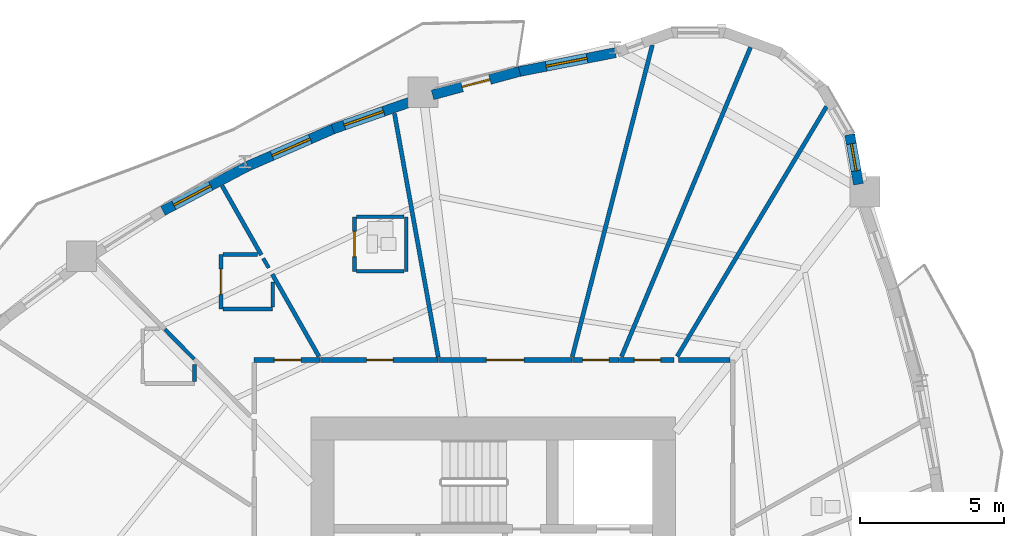
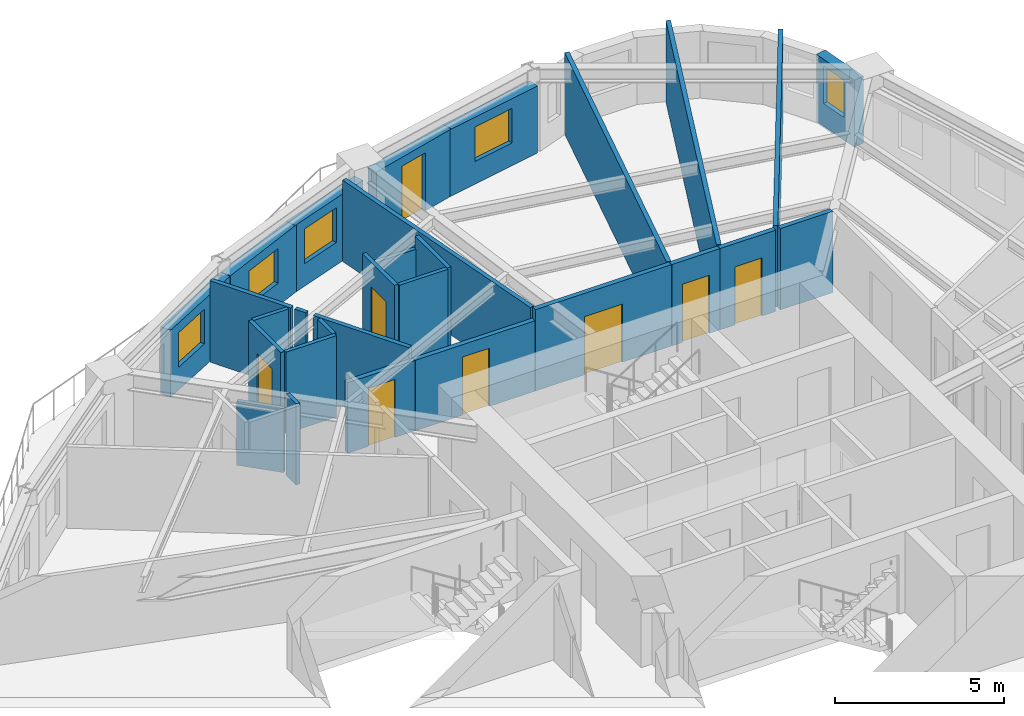
# One storey, part 8 of 13: 29 walls, 8 doors, 5 windows, 13 openings.
"""IFC4 building model written with IfcOpenShell, lengths in metres."""

import ifcopenshell
import ifcopenshell.guid

model = None  # the IFC model being written
_history = None  # IfcOwnerHistory: only IFC2X3 demands one
_inside = {}  # id of a spatial element -> (the spatial element, [elements in it])
_under = {}  # id of a project, library or spatial element -> (it, [spatial elements below it])
_declared = {}  # id of a project -> (the project, [libraries it declares])
_typed = {}  # id of a type object -> (the type object, [elements of that type])
_made_of = {}  # id of a material, layer set ... -> (it, [elements and type objects made of it])


def new_model(schema):
    """Start an empty IFC model of exactly this schema.

    Asked for "IFC4X3", IfcOpenShell would pick the latest addendum, in which some entities
    have other attributes; the version numbers below select the first issue.
    IFC2X3 requires an IfcOwnerHistory on every rooted entity: one is made here for all.
    """
    global model, _history
    if schema == "IFC4X3":
        model = ifcopenshell.file(schema_version=(4, 3, 0, 0))
    else:
        model = ifcopenshell.file(schema=schema)
    _inside.clear()
    _under.clear()
    _declared.clear()
    _typed.clear()
    _made_of.clear()
    _history = None
    if model.schema == "IFC2X3":
        org = make("IfcOrganization", Name="unknown")
        user = make(
            "IfcPersonAndOrganization",
            ThePerson=make("IfcPerson", FamilyName="unknown"),
            TheOrganization=org,
        )
        app = make(
            "IfcApplication",
            ApplicationDeveloper=org,
            Version="unknown",
            ApplicationFullName="unknown",
            ApplicationIdentifier="unknown",
        )
        _history = make(
            "IfcOwnerHistory",
            OwningUser=user,
            OwningApplication=app,
            ChangeAction="ADDED",
            CreationDate=0,
        )
    return model


def make(cls, **values):
    """One entity of the class cls with the attributes given. An attribute that is None is left unset."""
    return model.create_entity(
        cls, **{name: value for name, value in values.items() if value is not None}
    )


def rooted(cls, **values):
    """An entity with a GlobalId (a new one), such as an element, a storey or a relation."""
    return make(cls, GlobalId=ifcopenshell.guid.new(), OwnerHistory=_history, **values)


def si_unit(unit_type, name, prefix=None):
    """IfcSIUnit, for example si_unit("LENGTHUNIT", "METRE", prefix="MILLI")."""
    return make("IfcSIUnit", UnitType=unit_type, Prefix=prefix, Name=name)


def assignment(units):
    """IfcUnitAssignment: the units of a project."""
    return None if units is None else make("IfcUnitAssignment", Units=units)


def point(xyz):
    """IfcCartesianPoint."""
    return None if xyz is None else make("IfcCartesianPoint", Coordinates=xyz)


def direction(xyz):
    """IfcDirection."""
    return None if xyz is None else make("IfcDirection", DirectionRatios=xyz)


def frame(location, z_axis=None, x_axis=None):
    """IfcAxis2Placement3D, a coordinate frame: its origin and axes. An axis left out is left unset."""
    return make(
        "IfcAxis2Placement3D",
        Location=point(location),
        Axis=direction(z_axis),
        RefDirection=direction(x_axis),
    )


def frame_2d(location, x_axis=None):
    """IfcAxis2Placement2D, a coordinate frame in the plane: its origin and x axis."""
    return make(
        "IfcAxis2Placement2D", Location=point(location), RefDirection=direction(x_axis)
    )


def origin():
    """The frame at (0, 0, 0) with its axes left unset."""
    return frame((0.0, 0.0, 0.0))


def place(relative_to, where):
    """IfcLocalPlacement: puts the frame where relative to a parent placement (None: the world)."""
    return make(
        "IfcLocalPlacement", PlacementRelTo=relative_to, RelativePlacement=where
    )


def context(
    kind, dimensions, precision=None, world=None, true_north=None, identifier=None
):
    """IfcGeometricRepresentationContext, for example the 3D "Model" context."""
    return make(
        "IfcGeometricRepresentationContext",
        ContextIdentifier=identifier,
        ContextType=kind,
        CoordinateSpaceDimension=dimensions,
        Precision=precision,
        WorldCoordinateSystem=world,
        TrueNorth=true_north,
    )


def subcontext(parent, identifier, kind, view, scale=None):
    """IfcGeometricRepresentationSubContext, for example "Body" below "Model"."""
    return make(
        "IfcGeometricRepresentationSubContext",
        ContextIdentifier=identifier,
        ContextType=kind,
        ParentContext=parent,
        TargetScale=scale,
        TargetView=view,
    )


def project(units=None, contexts=None):
    """IfcProject with its units and contexts."""
    return rooted(
        "IfcProject",
        Name="project",
        RepresentationContexts=contexts,
        UnitsInContext=assignment(units),
    )


def spatial(cls, under=None, at=None, **own):
    """A site, building, storey or space (cls), placed at a placement, below another one or the project."""
    s = rooted(cls, ObjectPlacement=at, **own)
    if under is not None:
        _under.setdefault(under.id(), (under, []))[1].append(s)
    return s


def profile(cls, at=None, kind="AREA", **sizes):
    """A parametric profile (cls). Its sizes go by their IFC names, for example OverallWidth=200.0."""
    return make(cls, ProfileType=kind, Position=at, **sizes)


def rectangle(**sizes):
    """IfcRectangleProfileDef."""
    return profile("IfcRectangleProfileDef", **sizes)


def extrude(swept, where, along, depth):
    """IfcExtrudedAreaSolid: the profile swept, set in the frame where, extruded along a direction by depth."""
    return make(
        "IfcExtrudedAreaSolid",
        SweptArea=swept,
        Position=where,
        ExtrudedDirection=direction(along),
        Depth=depth,
    )


def shape(context_of_items, identifier, shape_type, items):
    """IfcShapeRepresentation: the items that make up one representation, for example the "Body"."""
    return make(
        "IfcShapeRepresentation",
        ContextOfItems=context_of_items,
        RepresentationIdentifier=identifier,
        RepresentationType=shape_type,
        Items=items,
    )


def source(mapping_origin, context_of_items, identifier, shape_type, items):
    """IfcRepresentationMap: a shape defined once, which mapped items show again and again."""
    return make(
        "IfcRepresentationMap",
        MappingOrigin=mapping_origin,
        MappedRepresentation=shape(context_of_items, identifier, shape_type, items),
    )


def transform(
    local_origin,
    x_axis=None,
    y_axis=None,
    z_axis=None,
    scale=None,
    scale2=None,
    scale3=None,
    uniform=True,
):
    """IfcCartesianTransformationOperator3D, or its non-uniform kind. x_axis, y_axis, z_axis: its Axis1, 2, 3."""
    if uniform:
        return make(
            "IfcCartesianTransformationOperator3D",
            Axis1=direction(x_axis),
            Axis2=direction(y_axis),
            LocalOrigin=point(local_origin),
            Scale=scale,
            Axis3=direction(z_axis),
        )
    return make(
        "IfcCartesianTransformationOperator3DnonUniform",
        Axis1=direction(x_axis),
        Axis2=direction(y_axis),
        LocalOrigin=point(local_origin),
        Scale=scale,
        Axis3=direction(z_axis),
        Scale2=scale2,
        Scale3=scale3,
    )


def mapped(mapping_source, mapping_target):
    """IfcMappedItem: shows the shape of a source again, moved by a transform."""
    return make(
        "IfcMappedItem", MappingSource=mapping_source, MappingTarget=mapping_target
    )


def material(Name=None, Category=None):
    """IfcMaterial."""
    return make("IfcMaterial", Name=Name, Category=Category)


def layer(
    of_material, thickness, ventilated=None, Name=None, Category=None, Priority=None
):
    """IfcMaterialLayer: one layer of a wall or slab, of a material (None: an air gap)."""
    return make(
        "IfcMaterialLayer",
        Material=of_material,
        LayerThickness=thickness,
        IsVentilated=ventilated,
        Name=Name,
        Category=Category,
        Priority=Priority,
    )


def layer_set(layers, Name=None):
    """IfcMaterialLayerSet."""
    return make("IfcMaterialLayerSet", MaterialLayers=layers, LayerSetName=Name)


def made_of(thing, what):
    """Note that an element or type object is made of a material, layer set ...; save() writes the relation."""
    if what is not None:
        _made_of.setdefault(what.id(), (what, []))[1].append(thing)
    return thing


def type_object(cls, material=None, **own):
    """A type object (cls), such as IfcWallType, which elements share."""
    return made_of(rooted(cls, **own), material)


def element(
    cls,
    number,
    at=None,
    inside=None,
    cuts=None,
    type_object=None,
    material=None,
    context=None,
    identifier="Body",
    shape_type=None,
    held_by="IfcProductDefinitionShape",
    body=None,
    shapes=None,
    **own,
):
    """One element of the class cls, such as IfcWall. Its Tag is "e" and its number.

    at: its placement. inside: the storey or other place that contains it. cuts: it is an
    opening in that element (IfcRelVoidsElement). A single representation is given by context,
    identifier, shape_type and body (its items); several are given by shapes. held_by: the class
    of the entity that holds the representations. save() writes the other relations.
    """
    e = rooted(cls, Tag="e%d" % number, ObjectPlacement=at, **own)
    if body is not None:
        shapes = [shape(context, identifier, shape_type, body)]
    if shapes is not None:
        e.Representation = make(held_by, Representations=shapes)
    if inside is not None:
        _inside.setdefault(inside.id(), (inside, []))[1].append(e)
    if cuts is not None:
        rooted(
            "IfcRelVoidsElement", RelatingBuildingElement=cuts, RelatedOpeningElement=e
        )
    if type_object is not None:
        _typed.setdefault(type_object.id(), (type_object, []))[1].append(e)
    return made_of(e, material)


def fill(opening, filler):
    """IfcRelFillsElement: the door or window that sits in an opening."""
    return rooted(
        "IfcRelFillsElement",
        RelatingOpeningElement=opening,
        RelatedBuildingElement=filler,
    )


def aggregate(whole, parts):
    """IfcRelAggregates: a whole, such as a stair, and the parts it consists of."""
    return rooted("IfcRelAggregates", RelatingObject=whole, RelatedObjects=parts)


def save(model, path):
    """Write the relations noted so far, then the file.

    IfcRelAggregates (storeys below a building ...), IfcRelContainedInSpatialStructure (elements
    in a storey), IfcRelDefinesByType, IfcRelAssociatesMaterial and IfcRelDeclares: one each for
    every whole, place, type object, material and project.
    """
    for whole, parts in _under.values():
        aggregate(whole, parts)
    for where, things in _inside.values():
        rooted(
            "IfcRelContainedInSpatialStructure",
            RelatedElements=things,
            RelatingStructure=where,
        )
    for kind, things in _typed.values():
        rooted("IfcRelDefinesByType", RelatedObjects=things, RelatingType=kind)
    for what, things in _made_of.values():
        rooted("IfcRelAssociatesMaterial", RelatedObjects=things, RelatingMaterial=what)
    for by, libraries in _declared.values():
        rooted("IfcRelDeclares", RelatingContext=by, RelatedDefinitions=libraries)
    model.write(path)


model = new_model("IFC4")

# Units and contexts
model_context = context("Model", 3, precision=1e-05, world=origin(), true_north=direction((0.0, 1.0)))
body_context = subcontext(model_context, "Body", "Model", "MODEL_VIEW")
ifc_project = project(units=[si_unit("LENGTHUNIT", "METRE"), si_unit("AREAUNIT", "SQUARE_METRE"), si_unit("VOLUMEUNIT", "CUBIC_METRE"), si_unit("PLANEANGLEUNIT", "RADIAN"), si_unit("MASSUNIT", "GRAM", prefix="KILO")], contexts=[model_context])

# Site, building, storey
site_placement = place(None, origin())
site = spatial("IfcSite", under=ifc_project, at=site_placement, CompositionType="ELEMENT")
building_placement = place(site_placement, origin())
building = spatial("IfcBuilding", under=site, at=building_placement, Name="Qafzar Sky-Pleat Residences", CompositionType="ELEMENT")
storey_placement = place(building_placement, frame((0.0, 0.0, 46.199951171875)))
storey = spatial("IfcBuildingStorey", under=building, at=storey_placement, Name="L13", CompositionType="ELEMENT", Elevation=46.199951171875)

# Wall, opening, door
ifc_material_1 = material(Name="Acoustic gypsum plasterboard partition", Category="gypsum")
ifc_layer_1 = layer(ifc_material_1, 0.159912109375)
ifc_layer_set_1 = layer_set([ifc_layer_1], Name="Acoustic gypsum plasterboard partition")
wall_type_1 = type_object("IfcWallType", Name="PART-COR-160", PredefinedType="PARTITIONING", material=ifc_layer_set_1)
wall_1_placement = place(storey_placement, frame((28.43310546875, 36.580078125, 0.0), z_axis=(0.0, 0.0, 1.0), x_axis=(1.0, 0.0, 0.0)))
wall_1 = element("IfcWall", 1, at=wall_1_placement, inside=storey, type_object=wall_type_1, Name="L13 Partition Wall PART-L13-PW-004", PredefinedType="PARTITIONING", context=body_context, shape_type="SweptSolid", body=[
    extrude(rectangle(XDim=4.65087890625, YDim=0.159912109375, at=frame_2d((2.325439453125, 0.0))), origin(), (0.0, 0.0, 1.0), 2.93994140625),
])
opening_1_placement = place(wall_1_placement, frame((1.675537109375, 0.0, 0.0)))
opening_1 = element("IfcOpeningElement", 2, at=opening_1_placement, cuts=wall_1, Name="Opening ID-05", PredefinedType="OPENING", context=body_context, shape_type="SweptSolid", body=[
    extrude(rectangle(XDim=1.300048828125, YDim=2.10009765625, at=frame_2d((0.64990234375, 1.050048828125))), frame((0.0, 0.08984375, 0.0), z_axis=(0.0, -1.0, 0.0), x_axis=(1.0, 0.0, 0.0)), (0.0, 0.0, 1.0), 0.179931640625),
])
ifc_material_2 = material(Name="Timber-faced fire door", Category="wood")
door_type_1 = type_object("IfcDoorType", Name="DR-LNG-1300", OperationType="DOUBLE_DOOR_SINGLE_SWING", PredefinedType="DOOR", material=ifc_material_2)
shared_shape_1 = source(origin(), body_context, "Body", "SweptSolid", [
    extrude(rectangle(XDim=1.300048828125, YDim=2.10009765625, at=frame_2d((0.64990234375, 1.050048828125))), frame((0.0, 0.02490234375, 0.0), z_axis=(0.0, -1.0, 0.0), x_axis=(1.0, 0.0, 0.0)), (0.0, 0.0, 1.0), 0.050048828125),
])
door_1_placement = place(opening_1_placement, origin())
door_1 = element("IfcDoor", 3, at=door_1_placement, inside=storey, type_object=door_type_1, Name="L13 Tutorial Huddle Room Door", OperationType="DOUBLE_DOOR_SINGLE_SWING", OverallHeight=2.10009765625, OverallWidth=1.300048828125, PredefinedType="DOOR", context=body_context, shape_type="MappedRepresentation", body=[
    mapped(shared_shape_1, transform((0.0, 0.0, 0.0), x_axis=(1.0, 0.0, 0.0), y_axis=(0.0, 1.0, 0.0), z_axis=(0.0, 0.0, 1.0), scale=1.0)),
])
fill(opening_1, door_1)

wall_2_placement = place(storey_placement, frame((24.3291015625, 36.580078125, 0.0), z_axis=(0.0, 0.0, 1.0), x_axis=(1.0, 0.0, 0.0)))
wall_2 = element("IfcWall", 4, at=wall_2_placement, inside=storey, type_object=wall_type_1, Name="L13 Partition Wall PART-L13-PW-005", PredefinedType="PARTITIONING", context=body_context, shape_type="SweptSolid", body=[
    extrude(rectangle(XDim=4.0888671875, YDim=0.159912109375, at=frame_2d((2.04443359375, 0.0))), origin(), (0.0, 0.0, 1.0), 2.548095703125),
])
opening_2_placement = place(wall_2_placement, frame((1.6083984375, 0.0, 0.0)))
opening_2 = element("IfcOpeningElement", 5, at=opening_2_placement, cuts=wall_2, Name="Opening ID-04", PredefinedType="OPENING", context=body_context, shape_type="SweptSolid", body=[
    extrude(rectangle(XDim=0.919921875, YDim=2.10009765625, at=frame_2d((0.4599609375, 1.050048828125))), frame((0.0, 0.08984375, 0.0), z_axis=(0.0, -1.0, 0.0), x_axis=(1.0, 0.0, 0.0)), (0.0, 0.0, 1.0), 0.179931640625),
])
door_type_2 = type_object("IfcDoorType", Name="DR-BED-920", OperationType="NOTDEFINED", PredefinedType="DOOR", material=ifc_material_2)
shared_shape_2 = source(origin(), body_context, "Body", "SweptSolid", [
    extrude(rectangle(XDim=0.919921875, YDim=2.10009765625, at=frame_2d((0.4599609375, 1.050048828125))), frame((0.0, 0.02490234375, 0.0), z_axis=(0.0, -1.0, 0.0), x_axis=(1.0, 0.0, 0.0)), (0.0, 0.0, 1.0), 0.050048828125),
])
door_2_placement = place(opening_2_placement, origin())
door_2 = element("IfcDoor", 6, at=door_2_placement, inside=storey, type_object=door_type_2, Name="L13 Co-Living Bedroom 7 Door", OperationType="SINGLE_SWING_LEFT", OverallHeight=2.10009765625, OverallWidth=0.919921875, PredefinedType="DOOR", context=body_context, shape_type="MappedRepresentation", body=[
    mapped(shared_shape_2, transform((0.0, 0.0, 0.0), x_axis=(1.0, 0.0, 0.0), y_axis=(0.0, 1.0, 0.0), z_axis=(0.0, 0.0, 1.0), scale=1.0)),
])
fill(opening_2, door_2)

wall_3_placement = place(storey_placement, frame((22.02001953125, 36.580078125, 0.0), z_axis=(0.0, 0.0, 1.0), x_axis=(1.0, 0.0, 0.0)))
wall_3 = element("IfcWall", 7, at=wall_3_placement, inside=storey, type_object=wall_type_1, Name="L13 Partition Wall PART-L13-PW-013", PredefinedType="PARTITIONING", context=body_context, shape_type="SweptSolid", body=[
    extrude(rectangle(XDim=2.2939453125, YDim=0.159912109375, at=frame_2d((1.14697265625, 0.0))), origin(), (0.0, 0.0, 1.0), 2.548095703125),
])
opening_3_placement = place(wall_3_placement, frame((0.702880859375, 0.0, 0.0)))
opening_3 = element("IfcOpeningElement", 8, at=opening_3_placement, cuts=wall_3, Name="Opening ID-04", PredefinedType="OPENING", context=body_context, shape_type="SweptSolid", body=[
    extrude(rectangle(XDim=0.919921875, YDim=2.10009765625, at=frame_2d((0.4599609375, 1.050048828125))), frame((0.0, 0.08984375, 0.0), z_axis=(0.0, -1.0, 0.0), x_axis=(1.0, 0.0, 0.0)), (0.0, 0.0, 1.0), 0.179931640625),
])
door_3_placement = place(opening_3_placement, origin())
door_3 = element("IfcDoor", 9, at=door_3_placement, inside=storey, type_object=door_type_2, Name="L13 Co-Living Bedroom 9 Door", OperationType="SINGLE_SWING_LEFT", OverallHeight=2.10009765625, OverallWidth=0.919921875, PredefinedType="DOOR", context=body_context, shape_type="MappedRepresentation", body=[
    mapped(shared_shape_2, transform((0.0, 0.0, 0.0), x_axis=(1.0, 0.0, 0.0), y_axis=(0.0, 1.0, 0.0), z_axis=(0.0, 0.0, 1.0), scale=1.0)),
])
fill(opening_3, door_3)

wall_4_placement = place(storey_placement, frame((34.74609375, 36.580078125, 0.0), z_axis=(0.0, 0.0, 1.0), x_axis=(1.0, 0.0, 0.0)))
wall_4 = element("IfcWall", 10, at=wall_4_placement, inside=storey, type_object=wall_type_1, Name="L13 Partition Wall PART-L13-PW-022", PredefinedType="PARTITIONING", context=body_context, shape_type="SweptSolid", body=[
    extrude(rectangle(XDim=1.89794921875, YDim=0.159912109375, at=frame_2d((0.948974609375, 0.0))), origin(), (0.0, 0.0, 1.0), 2.93994140625),
])
opening_4_placement = place(wall_4_placement, frame((0.513427734375, 0.0, 0.0)))
opening_4 = element("IfcOpeningElement", 11, at=opening_4_placement, cuts=wall_4, Name="Opening ID-04", PredefinedType="OPENING", context=body_context, shape_type="SweptSolid", body=[
    extrude(rectangle(XDim=0.919921875, YDim=2.10009765625, at=frame_2d((0.4599609375, 1.050048828125))), frame((0.0, 0.08984375, 0.0), z_axis=(0.0, -1.0, 0.0), x_axis=(1.0, 0.0, 0.0)), (0.0, 0.0, 1.0), 0.179931640625),
])
door_4_placement = place(opening_4_placement, origin())
door_4 = element("IfcDoor", 12, at=door_4_placement, inside=storey, type_object=door_type_2, Name="L13 Co-Living Bedroom 6 Door", OperationType="SINGLE_SWING_RIGHT", OverallHeight=2.10009765625, OverallWidth=0.919921875, PredefinedType="DOOR", context=body_context, shape_type="MappedRepresentation", body=[
    mapped(shared_shape_2, transform((0.0, 0.0, 0.0), x_axis=(1.0, 0.0, 0.0), y_axis=(0.0, 1.0, 0.0), z_axis=(0.0, 0.0, 1.0), scale=1.0)),
])
fill(opening_4, door_4)

wall_5_placement = place(storey_placement, frame((33.09912109375, 36.580078125, 0.0), z_axis=(0.0, 0.0, 1.0), x_axis=(1.0, 0.0, 0.0)))
wall_5 = element("IfcWall", 13, at=wall_5_placement, inside=storey, type_object=wall_type_1, Name="L13 Partition Wall PART-L13-PW-026", PredefinedType="PARTITIONING", context=body_context, shape_type="SweptSolid", body=[
    extrude(rectangle(XDim=1.6318359375, YDim=0.159912109375, at=frame_2d((0.81591796875, 0.0))), origin(), (0.0, 0.0, 1.0), 2.93994140625),
])
opening_5_placement = place(wall_5_placement, frame((0.3564453125, 0.0, 0.0)))
opening_5 = element("IfcOpeningElement", 14, at=opening_5_placement, cuts=wall_5, Name="Opening ID-04", PredefinedType="OPENING", context=body_context, shape_type="SweptSolid", body=[
    extrude(rectangle(XDim=0.919921875, YDim=2.10009765625, at=frame_2d((0.4599609375, 1.050048828125))), frame((0.0, 0.08984375, 0.0), z_axis=(0.0, -1.0, 0.0), x_axis=(1.0, 0.0, 0.0)), (0.0, 0.0, 1.0), 0.179931640625),
])
door_5_placement = place(opening_5_placement, origin())
door_5 = element("IfcDoor", 15, at=door_5_placement, inside=storey, type_object=door_type_2, Name="L13 Co-Living Bedroom 5 Door", OperationType="SINGLE_SWING_RIGHT", OverallHeight=2.10009765625, OverallWidth=0.919921875, PredefinedType="DOOR", context=body_context, shape_type="MappedRepresentation", body=[
    mapped(shared_shape_2, transform((0.0, 0.0, 0.0), x_axis=(1.0, 0.0, 0.0), y_axis=(0.0, 1.0, 0.0), z_axis=(0.0, 0.0, 1.0), scale=1.0)),
])
fill(opening_5, door_5)

# Walls
wall_6_placement = place(storey_placement, frame((36.79931640625, 36.580078125, 0.0), z_axis=(0.0, 0.0, 1.0), x_axis=(1.0, 0.0, 0.0)))
element("IfcWall", 16, at=wall_6_placement, inside=storey, type_object=wall_type_1, Name="L13 Partition Wall PART-L13-PW-058", PredefinedType="PARTITIONING", context=body_context, shape_type="SweptSolid", body=[
    extrude(rectangle(XDim=1.792724609375, YDim=0.159912109375, at=frame_2d((0.896484375, 0.0))), origin(), (0.0, 0.0, 1.0), 2.93994140625),
])
ifc_layer_2 = layer(ifc_material_1, 0.14501953125)
ifc_layer_set_2 = layer_set([ifc_layer_2], Name="Acoustic gypsum plasterboard partition")
wall_type_2 = type_object("IfcWallType", Name="PART-UNIT-145", PredefinedType="PARTITIONING", material=ifc_layer_set_2)
wall_7_placement = place(storey_placement, frame((34.81103515625, 36.6953125, 0.0), z_axis=(0.0, 0.0, 1.0), x_axis=(0.384925700713, 0.922947563479, 0.0)))
element("IfcWall", 17, at=wall_7_placement, inside=storey, type_object=wall_type_2, Name="L13 Partition Wall PART-L13-PW-032", PredefinedType="PARTITIONING", context=body_context, shape_type="SweptSolid", body=[
    extrude(rectangle(XDim=11.6748046875, YDim=0.14501953125, at=frame_2d((5.83740234375, 0.0))), origin(), (0.0, 0.0, 1.0), 2.93994140625),
])
wall_8_placement = place(storey_placement, frame((33.09521484375, 36.685791015625, 0.0), z_axis=(0.0, 0.0, 1.0), x_axis=(0.24882519125, 0.96854841087, 0.0)))
element("IfcWall", 18, at=wall_8_placement, inside=storey, type_object=wall_type_2, Name="L13 Partition Wall PART-L13-PW-034", PredefinedType="PARTITIONING", context=body_context, shape_type="SweptSolid", body=[
    extrude(rectangle(XDim=11.2158203125, YDim=0.14501953125, at=frame_2d((5.60791015625, 0.0))), origin(), (0.0, 0.0, 1.0), 2.93994140625),
])
wall_9_placement = place(storey_placement, frame((36.750244140625, 36.7041015625, 0.0), z_axis=(0.0, 0.0, 1.0), x_axis=(0.51326307339, 0.858231330991, 0.0)))
element("IfcWall", 19, at=wall_9_placement, inside=storey, type_object=wall_type_2, Name="L13 Partition Wall PART-L13-PW-038", PredefinedType="PARTITIONING", context=body_context, shape_type="SweptSolid", body=[
    extrude(rectangle(XDim=10.14013671875, YDim=0.14501953125, at=frame_2d((5.070068359375, 0.0))), origin(), (0.0, 0.0, 1.0), 2.93994140625),
])
wall_10_placement = place(storey_placement, frame((26.9052734375, 45.16650390625, 0.0), z_axis=(0.0, 0.0, 1.0), x_axis=(0.176948932403, -0.984220033997, 0.0)))
element("IfcWall", 20, at=wall_10_placement, inside=storey, type_object=wall_type_2, Name="L13 Partition Wall PART-L13-PW-039", PredefinedType="PARTITIONING", context=body_context, shape_type="SweptSolid", body=[
    extrude(rectangle(XDim=8.621826171875, YDim=0.14501953125, at=frame_2d((4.31103515625, 0.0))), origin(), (0.0, 0.0, 1.0), 2.93994140625),
])
wall_11_placement = place(storey_placement, frame((22.65087890625, 39.56689453125, 0.0), z_axis=(0.0, 0.0, 1.0), x_axis=(0.493566118786, -0.8697082766, 0.0)))
element("IfcWall", 21, at=wall_11_placement, inside=storey, type_object=wall_type_2, Name="L13 Partition Wall PART-L13-PW-050", PredefinedType="PARTITIONING", context=body_context, shape_type="SweptSolid", body=[
    extrude(rectangle(XDim=3.29345703125, YDim=0.14501953125, at=frame_2d((1.646728515625, 0.0))), origin(), (0.0, 0.0, 1.0), 2.93994140625),
])
wall_12_placement = place(storey_placement, frame((20.901123046875, 42.651123046875, 0.0), z_axis=(0.0, 0.0, 1.0), x_axis=(0.4934166236, -0.86979309928, 0.0)))
element("IfcWall", 22, at=wall_12_placement, inside=storey, type_object=wall_type_2, Name="L13 Partition Wall PART-L13-PW-054", PredefinedType="PARTITIONING", context=body_context, shape_type="SweptSolid", body=[
    extrude(rectangle(XDim=2.7744140625, YDim=0.14501953125, at=frame_2d((1.38720703125, 0.0))), origin(), (0.0, 0.0, 1.0), 2.93994140625),
])

# Wall, opening, door
ifc_material_3 = material(Name="Moisture-resistant gypsum partition", Category="gypsum")
ifc_layer_3 = layer(ifc_material_3, 0.1298828125)
ifc_layer_set_3 = layer_set([ifc_layer_3], Name="Moisture-resistant gypsum partition")
wall_type_3 = type_object("IfcWallType", Name="PART-WET-130", PredefinedType="PARTITIONING", material=ifc_layer_set_3)
wall_13_placement = place(storey_placement, frame((25.511962890625, 41.568115234375, 0.0), z_axis=(0.0, 0.0, 1.0), x_axis=(0.0, -1.0, 0.0)))
wall_13 = element("IfcWall", 23, at=wall_13_placement, inside=storey, type_object=wall_type_3, Name="L13 Partition Wall PART-L13-PW-018", PredefinedType="PARTITIONING", context=body_context, shape_type="SweptSolid", body=[
    extrude(rectangle(XDim=1.900146484375, YDim=0.1298828125, at=frame_2d((0.9501953125, 0.0))), origin(), (0.0, 0.0, 1.0), 2.93994140625),
])
opening_6_placement = place(wall_13_placement, frame((0.510009765625, 0.0, 0.0)))
opening_6 = element("IfcOpeningElement", 24, at=opening_6_placement, cuts=wall_13, Name="Opening ID-07", PredefinedType="OPENING", context=body_context, shape_type="SweptSolid", body=[
    extrude(rectangle(XDim=0.8798828125, YDim=2.050048828125, at=frame_2d((0.43994140625, 1.02490234375))), frame((0.0, 0.074951171875, 0.0), z_axis=(0.0, -1.0, 0.0), x_axis=(1.0, 0.0, 0.0)), (0.0, 0.0, 1.0), 0.14990234375),
])
door_type_3 = type_object("IfcDoorType", Name="DR-WET-880", OperationType="NOTDEFINED", PredefinedType="DOOR", material=ifc_material_2)
shared_shape_3 = source(origin(), body_context, "Body", "SweptSolid", [
    extrude(rectangle(XDim=0.8798828125, YDim=2.050048828125, at=frame_2d((0.43994140625, 1.02490234375))), frame((0.0, 0.02490234375, 0.0), z_axis=(0.0, -1.0, 0.0), x_axis=(1.0, 0.0, 0.0)), (0.0, 0.0, 1.0), 0.050048828125),
])
door_6_placement = place(opening_6_placement, origin())
door_6 = element("IfcDoor", 25, at=door_6_placement, inside=storey, type_object=door_type_3, Name="L13 En-suite Bathroom 7 Door", OperationType="SINGLE_SWING_RIGHT", OverallHeight=2.050048828125, OverallWidth=0.8798828125, PredefinedType="DOOR", context=body_context, shape_type="MappedRepresentation", body=[
    mapped(shared_shape_3, transform((0.0, 0.0, 0.0), x_axis=(1.0, 0.0, 0.0), y_axis=(0.0, 1.0, 0.0), z_axis=(0.0, 0.0, 1.0), scale=1.0)),
])
fill(opening_6, door_6)

wall_14_placement = place(storey_placement, frame((20.865966796875, 40.2529296875, 0.0), z_axis=(0.0, 0.0, 1.0), x_axis=(0.0, -1.0, 0.0)))
wall_14 = element("IfcWall", 26, at=wall_14_placement, inside=storey, type_object=wall_type_3, Name="L13 Partition Wall PART-L13-PW-020", PredefinedType="PARTITIONING", context=body_context, shape_type="SweptSolid", body=[
    extrude(rectangle(XDim=1.89990234375, YDim=0.1298828125, at=frame_2d((0.949951171875, 0.0))), origin(), (0.0, 0.0, 1.0), 2.93994140625),
])
opening_7_placement = place(wall_14_placement, frame((0.510009765625, 0.0, 0.0)))
opening_7 = element("IfcOpeningElement", 27, at=opening_7_placement, cuts=wall_14, Name="Opening ID-07", PredefinedType="OPENING", context=body_context, shape_type="SweptSolid", body=[
    extrude(rectangle(XDim=0.8798828125, YDim=2.050048828125, at=frame_2d((0.43994140625, 1.02490234375))), frame((0.0, 0.074951171875, 0.0), z_axis=(0.0, -1.0, 0.0), x_axis=(1.0, 0.0, 0.0)), (0.0, 0.0, 1.0), 0.14990234375),
])
door_7_placement = place(opening_7_placement, origin())
door_7 = element("IfcDoor", 28, at=door_7_placement, inside=storey, type_object=door_type_3, Name="L13 En-suite Bathroom 9 Door", OperationType="SINGLE_SWING_RIGHT", OverallHeight=2.050048828125, OverallWidth=0.8798828125, PredefinedType="DOOR", context=body_context, shape_type="MappedRepresentation", body=[
    mapped(shared_shape_3, transform((0.0, 0.0, 0.0), x_axis=(1.0, 0.0, 0.0), y_axis=(0.0, 1.0, 0.0), z_axis=(0.0, 0.0, 1.0), scale=1.0)),
])
fill(opening_7, door_7)

# Walls
wall_15_placement = place(storey_placement, frame((27.31201171875, 39.66796875, 0.0), z_axis=(0.0, 0.0, 1.0), x_axis=(0.0, 1.0, 0.0)))
element("IfcWall", 29, at=wall_15_placement, inside=storey, type_object=wall_type_3, Name="L13 Partition Wall PART-L13-PW-059", PredefinedType="PARTITIONING", context=body_context, shape_type="SweptSolid", body=[
    extrude(rectangle(XDim=1.900146484375, YDim=0.1298828125, at=frame_2d((0.9501953125, 0.0))), origin(), (0.0, 0.0, 1.0), 2.93994140625),
])
wall_16_placement = place(storey_placement, frame((25.5849609375, 41.568115234375, 0.0), z_axis=(0.0, 0.0, 1.0), x_axis=(1.0, 0.0, 0.0)))
element("IfcWall", 30, at=wall_16_placement, inside=storey, type_object=wall_type_3, Name="L13 Partition Wall PART-L13-PW-062", PredefinedType="PARTITIONING", context=body_context, shape_type="SweptSolid", body=[
    extrude(rectangle(XDim=1.654052734375, YDim=0.1298828125, at=frame_2d((0.8271484375, 0.0))), origin(), (0.0, 0.0, 1.0), 2.508056640625),
])
wall_17_placement = place(storey_placement, frame((25.5849609375, 39.66796875, 0.0), z_axis=(0.0, 0.0, 1.0), x_axis=(1.0, 0.0, 0.0)))
element("IfcWall", 31, at=wall_17_placement, inside=storey, type_object=wall_type_3, Name="L13 Partition Wall PART-L13-PW-063", PredefinedType="PARTITIONING", context=body_context, shape_type="SweptSolid", body=[
    extrude(rectangle(XDim=1.654052734375, YDim=0.1298828125, at=frame_2d((0.8271484375, 0.0))), origin(), (0.0, 0.0, 1.0), 2.93994140625),
])
wall_18_placement = place(storey_placement, frame((20.93896484375, 38.35302734375, 0.0), z_axis=(0.0, 0.0, 1.0), x_axis=(1.0, 0.0, 0.0)))
element("IfcWall", 32, at=wall_18_placement, inside=storey, type_object=wall_type_3, Name="L13 Partition Wall PART-L13-PW-064", PredefinedType="PARTITIONING", context=body_context, shape_type="SweptSolid", body=[
    extrude(rectangle(XDim=1.72705078125, YDim=0.1298828125, at=frame_2d((0.863525390625, 0.0))), origin(), (0.0, 0.0, 1.0), 2.93994140625),
])
wall_19_placement = place(storey_placement, frame((18.910400390625, 37.6533203125, 0.0), z_axis=(0.0, 0.0, 1.0), x_axis=(0.700686611827, -0.713469180838, 0.0)))
element("IfcWall", 33, at=wall_19_placement, inside=storey, type_object=wall_type_3, Name="L13 Partition Wall PART-L13-PW-080", PredefinedType="PARTITIONING", context=body_context, shape_type="SweptSolid", body=[
    extrude(rectangle(XDim=1.45166015625, YDim=0.1298828125, at=frame_2d((0.725830078125, 0.0))), origin(), (0.0, 0.0, 1.0), 2.30810546875),
])
wall_20_placement = place(storey_placement, frame((20.93896484375, 40.2529296875, 0.0), z_axis=(0.0, 0.0, 1.0), x_axis=(1.0, 0.0, 0.0)))
element("IfcWall", 34, at=wall_20_placement, inside=storey, type_object=wall_type_3, Name="L13 Partition Wall PART-L13-PW-081", PredefinedType="PARTITIONING", context=body_context, shape_type="SweptSolid", body=[
    extrude(rectangle(XDim=1.19482421875, YDim=0.1298828125, at=frame_2d((0.597412109375, 0.0))), origin(), (0.0, 0.0, 1.0), 2.93994140625),
])
wall_21_placement = place(storey_placement, frame((22.666015625, 38.426025390625, 0.0), z_axis=(0.0, 0.0, 1.0), x_axis=(0.0, 1.0, 0.0)))
element("IfcWall", 35, at=wall_21_placement, inside=storey, type_object=wall_type_3, Name="L13 Partition Wall PART-L13-PW-084", PredefinedType="PARTITIONING", context=body_context, shape_type="SweptSolid", body=[
    extrude(rectangle(XDim=0.8740234375, YDim=0.1298828125, at=frame_2d((0.43701171875, 0.0))), origin(), (0.0, 0.0, 1.0), 2.93994140625),
])
wall_22_placement = place(storey_placement, frame((19.93798828125, 35.8369140625, 0.0), z_axis=(0.0, 0.0, 1.0), x_axis=(0.0, 1.0, 0.0)))
element("IfcWall", 36, at=wall_22_placement, inside=storey, type_object=wall_type_3, Name="L13 Partition Wall PART-L13-PW-085", PredefinedType="PARTITIONING", context=body_context, shape_type="SweptSolid", body=[
    extrude(rectangle(XDim=0.59228515625, YDim=0.1298828125, at=frame_2d((0.296142578125, 0.0))), origin(), (0.0, 0.0, 1.0), 2.93994140625),
])
wall_23_placement = place(storey_placement, frame((22.33642578125, 40.12109375, 0.0), z_axis=(0.0, 0.0, 1.0), x_axis=(0.493383408092, -0.86981194095, 0.0)))
element("IfcWall", 37, at=wall_23_placement, inside=storey, type_object=wall_type_3, Name="L13 Partition Wall PART-L13-PW-087", PredefinedType="PARTITIONING", context=body_context, shape_type="SweptSolid", body=[
    extrude(rectangle(XDim=0.382080078125, YDim=0.1298828125, at=frame_2d((0.19091796875, 0.0))), origin(), (0.0, 0.0, 1.0), 2.93994140625),
])

# Wall, opening, window
ifc_material_4 = material(Name="Precast concrete C40/50 with honed Riyadh limestone", Category="concrete")
ifc_layer_4 = layer(ifc_material_4, 0.35009765625)
ifc_layer_set_4 = layer_set([ifc_layer_4], Name="Precast concrete C40/50 with honed Riyadh limestone")
wall_type_4 = type_object("IfcWallType", Name="WALL-EXT-350", PredefinedType="SOLIDWALL", material=ifc_layer_set_4)
wall_24_placement = place(storey_placement, frame((43.065673828125, 42.702392578125, 0.0), z_axis=(0.0, 0.0, 1.0), x_axis=(-0.173745591742, 0.984790571315, 0.0)))
wall_24 = element("IfcWall", 38, at=wall_24_placement, inside=storey, type_object=wall_type_4, Name="L13 Limestone Facade Wall 33", PredefinedType="SOLIDWALL", context=body_context, shape_type="SweptSolid", body=[
    extrude(rectangle(XDim=1.752197265625, YDim=0.35009765625, at=frame_2d((0.8759765625, 0.0))), origin(), (0.0, 0.0, 1.0), 2.420166015625),
])
opening_8_placement = place(wall_24_placement, frame((0.476318359375, 0.0, 0.820068359375)))
opening_8 = element("IfcOpeningElement", 39, at=opening_8_placement, cuts=wall_24, Name="Opening WN-12", PredefinedType="OPENING", context=body_context, shape_type="SweptSolid", body=[
    extrude(rectangle(XDim=0.949951171875, YDim=1.35009765625, at=frame_2d((0.47509765625, 0.675048828125))), frame((0.0, 0.18505859375, 0.0), z_axis=(0.0, -1.0, 0.0), x_axis=(1.0, 0.0, 0.0)), (0.0, 0.0, 1.0), 0.3701171875),
])
ifc_material_5 = material(Name="Solar-control low-E glass in bronze aluminium frame", Category="glass")
window_type_1 = type_object("IfcWindowType", Name="WIN-12", PartitioningType="SINGLE_PANEL", PredefinedType="WINDOW", material=ifc_material_5)
shared_shape_4 = source(origin(), body_context, "Body", "SweptSolid", [
    extrude(rectangle(XDim=0.949951171875, YDim=1.35009765625, at=frame_2d((0.47509765625, 0.675048828125))), frame((0.0, 0.030029296875, 0.0), z_axis=(0.0, -1.0, 0.0), x_axis=(1.0, 0.0, 0.0)), (0.0, 0.0, 1.0), 0.06005859375),
])
window_1_placement = place(opening_8_placement, origin())
window_1 = element("IfcWindow", 40, at=window_1_placement, inside=storey, type_object=window_type_1, Name="L13 Punched Facade Window 33", OverallHeight=1.35009765625, OverallWidth=0.949951171875, PartitioningType="SINGLE_PANEL", PredefinedType="WINDOW", context=body_context, shape_type="MappedRepresentation", body=[
    mapped(shared_shape_4, transform((0.0, 0.0, 0.0), x_axis=(1.0, 0.0, 0.0), y_axis=(0.0, 1.0, 0.0), z_axis=(0.0, 0.0, 1.0), scale=1.0)),
])
fill(opening_8, window_1)

wall_25_placement = place(storey_placement, frame((34.60400390625, 47.284423828125, 0.0), z_axis=(0.0, 0.0, 1.0), x_axis=(-0.981236541068, -0.192807807086, 0.0)))
wall_25 = element("IfcWall", 41, at=wall_25_placement, inside=storey, type_object=wall_type_4, Name="L13 Limestone Facade Wall 39", PredefinedType="SOLIDWALL", context=body_context, shape_type="SweptSolid", body=[
    extrude(rectangle(XDim=3.4921875, YDim=0.35009765625, at=frame_2d((1.74609375, 0.0))), origin(), (0.0, 0.0, 1.0), 2.420166015625),
])
opening_9_placement = place(wall_25_placement, frame((1.01123046875, 0.0, 0.820068359375)))
opening_9 = element("IfcOpeningElement", 42, at=opening_9_placement, cuts=wall_25, Name="Opening WN-15", PredefinedType="OPENING", context=body_context, shape_type="SweptSolid", body=[
    extrude(rectangle(XDim=1.449951171875, YDim=1.25, at=frame_2d((0.72509765625, 0.625))), frame((0.0, 0.18505859375, 0.0), z_axis=(0.0, -1.0, 0.0), x_axis=(1.0, 0.0, 0.0)), (0.0, 0.0, 1.0), 0.3701171875),
])
window_type_2 = type_object("IfcWindowType", Name="WIN-15", PartitioningType="SINGLE_PANEL", PredefinedType="WINDOW", material=ifc_material_5)
shared_shape_5 = source(origin(), body_context, "Body", "SweptSolid", [
    extrude(rectangle(XDim=1.449951171875, YDim=1.25, at=frame_2d((0.72509765625, 0.625))), frame((0.0, 0.030029296875, 0.0), z_axis=(0.0, -1.0, 0.0), x_axis=(1.0, 0.0, 0.0)), (0.0, 0.0, 1.0), 0.06005859375),
])
window_2_placement = place(opening_9_placement, origin())
window_2 = element("IfcWindow", 43, at=window_2_placement, inside=storey, type_object=window_type_2, Name="L13 Punched Facade Window 39", OverallHeight=1.25, OverallWidth=1.449951171875, PartitioningType="SINGLE_PANEL", PredefinedType="WINDOW", context=body_context, shape_type="MappedRepresentation", body=[
    mapped(shared_shape_5, transform((0.0, 0.0, 0.0), x_axis=(1.0, 0.0, 0.0), y_axis=(0.0, 1.0, 0.0), z_axis=(0.0, 0.0, 1.0), scale=1.0)),
])
fill(opening_9, window_2)

# Wall, opening, door
wall_26_placement = place(storey_placement, frame((31.26318359375, 46.631103515625, 0.0), z_axis=(0.0, 0.0, 1.0), x_axis=(-0.965460187066, -0.260550623086, 0.0)))
wall_26 = element("IfcWall", 44, at=wall_26_placement, inside=storey, type_object=wall_type_4, Name="L13 Limestone Facade Wall 40", PredefinedType="SOLIDWALL", context=body_context, shape_type="SweptSolid", body=[
    extrude(rectangle(XDim=3.139892578125, YDim=0.35009765625, at=frame_2d((1.56982421875, 0.0))), origin(), (0.0, 0.0, 1.0), 2.420166015625),
])
opening_10_placement = place(wall_26_placement, frame((1.06982421875, 0.0, 0.0)))
opening_10 = element("IfcOpeningElement", 45, at=opening_10_placement, cuts=wall_26, Name="Opening ED-05", PredefinedType="OPENING", context=body_context, shape_type="SweptSolid", body=[
    extrude(rectangle(XDim=1.0, YDim=2.10009765625, at=frame_2d((0.5, 1.050048828125))), frame((0.0, 0.18505859375, 0.0), z_axis=(0.0, -1.0, 0.0), x_axis=(1.0, 0.0, 0.0)), (0.0, 0.0, 1.0), 0.3701171875),
])
ifc_material_6 = material(Name="Glazed bronze aluminium door", Category="aluminium")
door_type_4 = type_object("IfcDoorType", Name="DR-BAL-1000", OperationType="NOTDEFINED", PredefinedType="DOOR", material=ifc_material_6)
shared_shape_6 = source(origin(), body_context, "Body", "SweptSolid", [
    extrude(rectangle(XDim=1.0, YDim=2.10009765625, at=frame_2d((0.5, 1.050048828125))), frame((0.0, 0.02490234375, 0.0), z_axis=(0.0, -1.0, 0.0), x_axis=(1.0, 0.0, 0.0)), (0.0, 0.0, 1.0), 0.050048828125),
])
door_8_placement = place(opening_10_placement, origin())
door_8 = element("IfcDoor", 46, at=door_8_placement, inside=storey, type_object=door_type_4, Name="L13 Glazed Balcony Door 2", OperationType="SINGLE_SWING_LEFT", OverallHeight=2.10009765625, OverallWidth=1.0, PredefinedType="DOOR", context=body_context, shape_type="MappedRepresentation", body=[
    mapped(shared_shape_6, transform((0.0, 0.0, 0.0), x_axis=(1.0, 0.0, 0.0), y_axis=(0.0, 1.0, 0.0), z_axis=(0.0, 0.0, 1.0), scale=1.0)),
])
fill(opening_10, door_8)

# Wall, opening, window
wall_27_placement = place(storey_placement, frame((27.6708984375, 45.6396484375, 0.0), z_axis=(0.0, 0.0, 1.0), x_axis=(-0.944140624307, -0.329542837175, 0.0)))
wall_27 = element("IfcWall", 47, at=wall_27_placement, inside=storey, type_object=wall_type_4, Name="L13 Limestone Facade Wall 41", PredefinedType="SOLIDWALL", context=body_context, shape_type="SweptSolid", body=[
    extrude(rectangle(XDim=3.084228515625, YDim=0.35009765625, at=frame_2d((1.5419921875, 0.0))), origin(), (0.0, 0.0, 1.0), 2.420166015625),
])
opening_11_placement = place(wall_27_placement, frame((1.214111328125, 0.0, 0.820068359375)))
opening_11 = element("IfcOpeningElement", 48, at=opening_11_placement, cuts=wall_27, Name="Opening WN-15", PredefinedType="OPENING", context=body_context, shape_type="SweptSolid", body=[
    extrude(rectangle(XDim=1.449951171875, YDim=1.25, at=frame_2d((0.72509765625, 0.625))), frame((0.0, 0.18505859375, 0.0), z_axis=(0.0, -1.0, 0.0), x_axis=(1.0, 0.0, 0.0)), (0.0, 0.0, 1.0), 0.3701171875),
])
window_3_placement = place(opening_11_placement, origin())
window_3 = element("IfcWindow", 49, at=window_3_placement, inside=storey, type_object=window_type_2, Name="L13 Punched Facade Window 41-2", OverallHeight=1.25, OverallWidth=1.449951171875, PartitioningType="SINGLE_PANEL", PredefinedType="WINDOW", context=body_context, shape_type="MappedRepresentation", body=[
    mapped(shared_shape_5, transform((0.0, 0.0, 0.0), x_axis=(1.0, 0.0, 0.0), y_axis=(0.0, 1.0, 0.0), z_axis=(0.0, 0.0, 1.0), scale=1.0)),
])
fill(opening_11, window_3)

wall_28_placement = place(storey_placement, frame((24.841796875, 44.655517578125, 0.0), z_axis=(0.0, 0.0, 1.0), x_axis=(-0.917071223009, -0.398723427866, 0.0)))
wall_28 = element("IfcWall", 50, at=wall_28_placement, inside=storey, type_object=wall_type_4, Name="L13 Limestone Facade Wall 42", PredefinedType="SOLIDWALL", context=body_context, shape_type="SweptSolid", body=[
    extrude(rectangle(XDim=3.32666015625, YDim=0.35009765625, at=frame_2d((1.663330078125, 0.0))), origin(), (0.0, 0.0, 1.0), 2.420166015625),
])
opening_12_placement = place(wall_28_placement, frame((0.948486328125, 0.0, 0.820068359375)))
opening_12 = element("IfcOpeningElement", 51, at=opening_12_placement, cuts=wall_28, Name="Opening WN-15", PredefinedType="OPENING", context=body_context, shape_type="SweptSolid", body=[
    extrude(rectangle(XDim=1.449951171875, YDim=1.25, at=frame_2d((0.72509765625, 0.625))), frame((0.0, 0.18505859375, 0.0), z_axis=(0.0, -1.0, 0.0), x_axis=(1.0, 0.0, 0.0)), (0.0, 0.0, 1.0), 0.3701171875),
])
window_4_placement = place(opening_12_placement, origin())
window_4 = element("IfcWindow", 52, at=window_4_placement, inside=storey, type_object=window_type_2, Name="L13 Punched Facade Window 42", OverallHeight=1.25, OverallWidth=1.449951171875, PartitioningType="SINGLE_PANEL", PredefinedType="WINDOW", context=body_context, shape_type="MappedRepresentation", body=[
    mapped(shared_shape_5, transform((0.0, 0.0, 0.0), x_axis=(1.0, 0.0, 0.0), y_axis=(0.0, 1.0, 0.0), z_axis=(0.0, 0.0, 1.0), scale=1.0)),
])
fill(opening_12, window_4)

wall_29_placement = place(storey_placement, frame((21.766845703125, 43.317626953125, 0.0), z_axis=(0.0, 0.0, 1.0), x_axis=(-0.884379674805, -0.466768240984, 0.0)))
wall_29 = element("IfcWall", 53, at=wall_29_placement, inside=storey, type_object=wall_type_4, Name="L13 Limestone Facade Wall 43", PredefinedType="SOLIDWALL", context=body_context, shape_type="SweptSolid", body=[
    extrude(rectangle(XDim=3.3076171875, YDim=0.35009765625, at=frame_2d((1.65380859375, 0.0))), origin(), (0.0, 0.0, 1.0), 2.420166015625),
])
opening_13_placement = place(wall_29_placement, frame((1.427734375, 0.0, 0.820068359375)))
opening_13 = element("IfcOpeningElement", 54, at=opening_13_placement, cuts=wall_29, Name="Opening WN-15", PredefinedType="OPENING", context=body_context, shape_type="SweptSolid", body=[
    extrude(rectangle(XDim=1.449951171875, YDim=1.25, at=frame_2d((0.72509765625, 0.625))), frame((0.0, 0.18505859375, 0.0), z_axis=(0.0, -1.0, 0.0), x_axis=(1.0, 0.0, 0.0)), (0.0, 0.0, 1.0), 0.3701171875),
])
window_5_placement = place(opening_13_placement, origin())
window_5 = element("IfcWindow", 55, at=window_5_placement, inside=storey, type_object=window_type_2, Name="L13 Punched Facade Window 43-2", OverallHeight=1.25, OverallWidth=1.449951171875, PartitioningType="SINGLE_PANEL", PredefinedType="WINDOW", context=body_context, shape_type="MappedRepresentation", body=[
    mapped(shared_shape_5, transform((0.0, 0.0, 0.0), x_axis=(1.0, 0.0, 0.0), y_axis=(0.0, 1.0, 0.0), z_axis=(0.0, 0.0, 1.0), scale=1.0)),
])
fill(opening_13, window_5)

save(model, "model.ifc")
